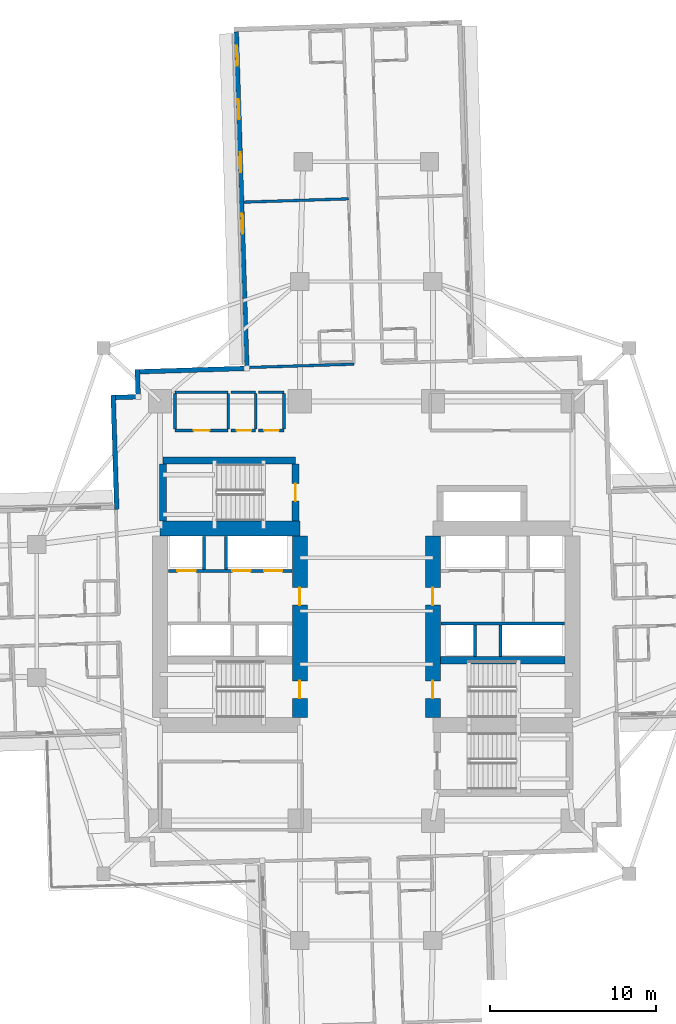
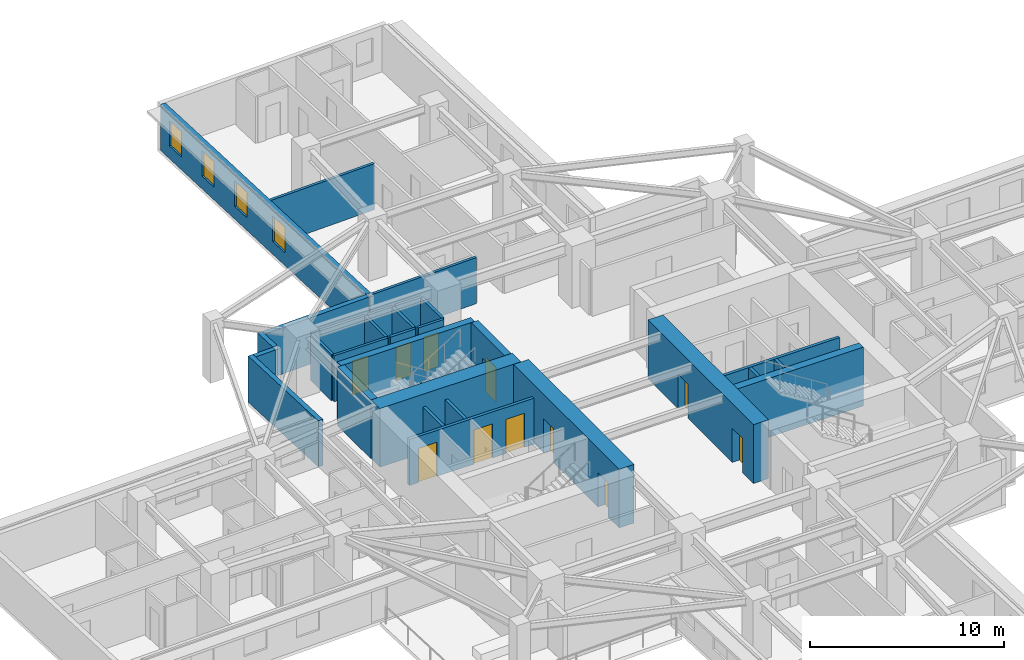
# One storey, part 6 of 14: 30 walls, 11 doors, 4 windows, 15 openings.
"""IFC4 building model written with IfcOpenShell, lengths in metres."""

from ifc_helpers import new_model, si_unit, direction, frame, frame_2d, origin, place, context, subcontext, project, spatial, rectangle, extrude, material, layer, layer_set, type_object, element, fill, save


model = new_model("IFC4")

# Units and contexts
model_context = context("Model", 3, precision=1e-05, world=origin(), true_north=direction((0.0, 1.0)))
body_context = subcontext(model_context, "Body", "Model", "MODEL_VIEW")
ifc_project = project(units=[si_unit("LENGTHUNIT", "METRE"), si_unit("AREAUNIT", "SQUARE_METRE"), si_unit("VOLUMEUNIT", "CUBIC_METRE"), si_unit("PLANEANGLEUNIT", "RADIAN"), si_unit("MASSUNIT", "GRAM", prefix="KILO")], contexts=[model_context])

# Site, building, storey
site_placement = place(None, origin())
site = spatial("IfcSite", under=ifc_project, at=site_placement, CompositionType="ELEMENT")
building_placement = place(site_placement, origin())
building = spatial("IfcBuilding", under=site, at=building_placement, Name="Qingluan Cross Belvedere", CompositionType="ELEMENT")
storey_placement = place(building_placement, frame((0.0, 0.0, 56.10009765625)))
storey = spatial("IfcBuildingStorey", under=building, at=storey_placement, Name="L14", CompositionType="ELEMENT", Elevation=56.10009765625)

# Walls
ifc_material_1 = material(Name="Concrete C50", Category="concrete")
ifc_layer_1 = layer(ifc_material_1, 0.449951171875, Name="CoreShearWall_450")
ifc_layer_set_1 = layer_set([ifc_layer_1], Name="Concrete C50")
wall_type_1 = type_object("IfcWallType", Name="CoreShearWall_450", PredefinedType="SHEAR", material=ifc_layer_set_1)
wall_1_placement = place(storey_placement, frame((4.455078125, -2.9599609375, 0.0), z_axis=(0.0, 0.0, 1.0), x_axis=(1.0, 0.0, 0.0)))
element("IfcWall", 1, at=wall_1_placement, inside=storey, type_object=wall_type_1, Name="Split core E shear wall L14-M", PredefinedType="SHEAR", context=body_context, shape_type="SweptSolid", body=[
    extrude(rectangle(XDim=7.489990234375, YDim=0.449951171875, at=frame_2d((3.7451171875, 0.0))), origin(), (0.0, 0.0, 1.0), 3.699951171875),
])
wall_2_placement = place(storey_placement, frame((-12.219970703125, 9.0400390625, 0.0), z_axis=(0.0, 0.0, 1.0), x_axis=(1.0, 0.0, 0.0)))
element("IfcWall", 2, at=wall_2_placement, inside=storey, type_object=wall_type_1, Name="Stair ST3 structural wall N L14", PredefinedType="SHEAR", context=body_context, shape_type="SweptSolid", body=[
    extrude(rectangle(XDim=7.9599609375, YDim=0.39990234375, at=frame_2d((3.97998046875, 0.0))), origin(), (0.0, 0.0, 1.0), 3.699951171875),
])
wall_3_placement = place(storey_placement, frame((-12.219970703125, 5.405029296875, 0.0), z_axis=(0.0, 0.0, 1.0), x_axis=(0.0, 1.0, 0.0)))
element("IfcWall", 3, at=wall_3_placement, inside=storey, type_object=wall_type_1, Name="Stair ST3 structural wall W L14", PredefinedType="SHEAR", context=body_context, shape_type="SweptSolid", body=[
    extrude(rectangle(XDim=3.429931640625, YDim=0.39990234375, at=frame_2d((1.71484375, 0.0))), origin(), (0.0, 0.0, 1.0), 3.699951171875),
])

# Wall, opening, door
wall_4_placement = place(storey_placement, frame((-4.260009765625, 5.405029296875, 0.0), z_axis=(0.0, 0.0, 1.0), x_axis=(0.0, 1.0, 0.0)))
wall_4 = element("IfcWall", 4, at=wall_4_placement, inside=storey, type_object=wall_type_1, Name="Stair ST3 structural wall E L14", PredefinedType="SHEAR", context=body_context, shape_type="SweptSolid", body=[
    extrude(rectangle(XDim=3.429931640625, YDim=0.39990234375, at=frame_2d((1.71484375, 0.0))), origin(), (0.0, 0.0, 1.0), 3.699951171875),
])
opening_1_placement = place(wall_4_placement, frame((1.195068359375, 0.0, 0.0)))
opening_1 = element("IfcOpeningElement", 5, at=opening_1_placement, cuts=wall_4, Name="Opening FD-B11", PredefinedType="OPENING", context=body_context, shape_type="SweptSolid", body=[
    extrude(rectangle(XDim=1.050048828125, YDim=2.14990234375, at=frame_2d((0.52490234375, 1.074951171875))), frame((0.0, 0.2099609375, 0.0), z_axis=(0.0, -1.0, 0.0), x_axis=(1.0, 0.0, 0.0)), (0.0, 0.0, 1.0), 0.419921875),
])
ifc_material_2 = material(Name="Steel Class B smoke-seal fire door", Category="steel")
door_type_1 = type_object("IfcDoorType", Name="StairLobbyFireDoor_FDB", OperationType="NOTDEFINED", PredefinedType="DOOR", material=ifc_material_2)
door_1_placement = place(opening_1_placement, origin())
door_1 = element("IfcDoor", 6, at=door_1_placement, inside=storey, type_object=door_type_1, Name="Smoke-proof stair ST3 fire door L14", OperationType="SINGLE_SWING_RIGHT", OverallHeight=2.14990234375, OverallWidth=1.050048828125, PredefinedType="DOOR", context=body_context, shape_type="SweptSolid", body=[
    extrude(rectangle(XDim=1.050048828125, YDim=2.14990234375, at=frame_2d((0.52490234375, 1.074951171875))), frame((0.0, 0.02490234375, 0.0), z_axis=(0.0, -1.0, 0.0), x_axis=(1.0, 0.0, 0.0)), (0.0, 0.0, 1.0), 0.050048828125),
])
fill(opening_1, door_1)

# Wall
ifc_material_3 = material(Name="Concrete C70", Category="concrete")
ifc_layer_2 = layer(ifc_material_3, 0.89990234375, Name="CoreShearWall_900")
ifc_layer_set_2 = layer_set([ifc_layer_2], Name="Concrete C70")
wall_type_2 = type_object("IfcWallType", Name="CoreShearWall_900", PredefinedType="SHEAR", material=ifc_layer_set_2)
wall_5_placement = place(storey_placement, frame((-12.39990234375, 4.949951171875, 0.0), z_axis=(0.0, 0.0, 1.0), x_axis=(1.0, 0.0, 0.0)))
element("IfcWall", 7, at=wall_5_placement, inside=storey, type_object=wall_type_2, Name="Split core W shear wall L14-N", PredefinedType="SHEAR", context=body_context, shape_type="SweptSolid", body=[
    extrude(rectangle(XDim=8.39990234375, YDim=0.89990234375, at=frame_2d((4.199951171875, 0.0))), origin(), (0.0, 0.0, 1.0), 3.699951171875),
])

# Wall, openings, doors
wall_6_placement = place(storey_placement, frame((-4.0, -6.39501953125, 0.0), z_axis=(0.0, 0.0, 1.0), x_axis=(0.0, 1.0, 0.0)))
wall_6 = element("IfcWall", 8, at=wall_6_placement, inside=storey, type_object=wall_type_2, Name="Split core W shear wall L14-E", PredefinedType="SHEAR", context=body_context, shape_type="SweptSolid", body=[
    extrude(rectangle(XDim=10.89013671875, YDim=0.89990234375, at=frame_2d((5.445068359375, 0.0))), origin(), (0.0, 0.0, 1.0), 3.699951171875),
])
opening_2_placement = place(wall_6_placement, frame((1.14501953125, 0.0, 0.0)))
opening_2 = element("IfcOpeningElement", 9, at=opening_2_placement, cuts=wall_6, Name="Opening FD-B11", PredefinedType="OPENING", context=body_context, shape_type="SweptSolid", body=[
    extrude(rectangle(XDim=1.050048828125, YDim=2.14990234375, at=frame_2d((0.52490234375, 1.074951171875))), frame((0.0, 0.4599609375, 0.0), z_axis=(0.0, -1.0, 0.0), x_axis=(1.0, 0.0, 0.0)), (0.0, 0.0, 1.0), 0.919921875),
])
opening_3_placement = place(wall_6_placement, frame((6.7451171875, 0.0, 0.0)))
opening_3 = element("IfcOpeningElement", 10, at=opening_3_placement, cuts=wall_6, Name="Opening FD-B11", PredefinedType="OPENING", context=body_context, shape_type="SweptSolid", body=[
    extrude(rectangle(XDim=1.050048828125, YDim=2.14990234375, at=frame_2d((0.52490234375, 1.074951171875))), frame((0.0, 0.4599609375, 0.0), z_axis=(0.0, -1.0, 0.0), x_axis=(1.0, 0.0, 0.0)), (0.0, 0.0, 1.0), 0.919921875),
])
door_2_placement = place(opening_2_placement, origin())
door_2 = element("IfcDoor", 11, at=door_2_placement, inside=storey, type_object=door_type_1, Name="Smoke-proof stair ST1 fire door L14", OperationType="SINGLE_SWING_RIGHT", OverallHeight=2.14990234375, OverallWidth=1.050048828125, PredefinedType="DOOR", context=body_context, shape_type="SweptSolid", body=[
    extrude(rectangle(XDim=1.050048828125, YDim=2.14990234375, at=frame_2d((0.52490234375, 1.074951171875))), frame((0.0, 0.02490234375, 0.0), z_axis=(0.0, -1.0, 0.0), x_axis=(1.0, 0.0, 0.0)), (0.0, 0.0, 1.0), 0.050048828125),
])
fill(opening_2, door_2)
door_3_placement = place(opening_3_placement, origin())
door_3 = element("IfcDoor", 12, at=door_3_placement, inside=storey, type_object=door_type_1, Name="Firefighting lobby West fire door L14", OperationType="SINGLE_SWING_RIGHT", OverallHeight=2.14990234375, OverallWidth=1.050048828125, PredefinedType="DOOR", context=body_context, shape_type="SweptSolid", body=[
    extrude(rectangle(XDim=1.050048828125, YDim=2.14990234375, at=frame_2d((0.52490234375, 1.074951171875))), frame((0.0, 0.02490234375, 0.0), z_axis=(0.0, -1.0, 0.0), x_axis=(1.0, 0.0, 0.0)), (0.0, 0.0, 1.0), 0.050048828125),
])
fill(opening_3, door_3)

wall_7_placement = place(storey_placement, frame((4.0, -6.39501953125, 0.0), z_axis=(0.0, 0.0, 1.0), x_axis=(0.0, 1.0, 0.0)))
wall_7 = element("IfcWall", 13, at=wall_7_placement, inside=storey, type_object=wall_type_2, Name="Split core E shear wall L14-W", PredefinedType="SHEAR", context=body_context, shape_type="SweptSolid", body=[
    extrude(rectangle(XDim=10.89013671875, YDim=0.89990234375, at=frame_2d((5.445068359375, 0.0))), origin(), (0.0, 0.0, 1.0), 3.699951171875),
])
opening_4_placement = place(wall_7_placement, frame((1.14501953125, 0.0, 0.0)))
opening_4 = element("IfcOpeningElement", 14, at=opening_4_placement, cuts=wall_7, Name="Opening FD-B11", PredefinedType="OPENING", context=body_context, shape_type="SweptSolid", body=[
    extrude(rectangle(XDim=1.050048828125, YDim=2.14990234375, at=frame_2d((0.52490234375, 1.074951171875))), frame((0.0, 0.4599609375, 0.0), z_axis=(0.0, -1.0, 0.0), x_axis=(1.0, 0.0, 0.0)), (0.0, 0.0, 1.0), 0.919921875),
])
opening_5_placement = place(wall_7_placement, frame((6.7451171875, 0.0, 0.0)))
opening_5 = element("IfcOpeningElement", 15, at=opening_5_placement, cuts=wall_7, Name="Opening FD-B11", PredefinedType="OPENING", context=body_context, shape_type="SweptSolid", body=[
    extrude(rectangle(XDim=1.050048828125, YDim=2.14990234375, at=frame_2d((0.52490234375, 1.074951171875))), frame((0.0, 0.4599609375, 0.0), z_axis=(0.0, -1.0, 0.0), x_axis=(1.0, 0.0, 0.0)), (0.0, 0.0, 1.0), 0.919921875),
])
door_4_placement = place(opening_4_placement, origin())
door_4 = element("IfcDoor", 16, at=door_4_placement, inside=storey, type_object=door_type_1, Name="Smoke-proof stair ST2 fire door L14", OperationType="SINGLE_SWING_LEFT", OverallHeight=2.14990234375, OverallWidth=1.050048828125, PredefinedType="DOOR", context=body_context, shape_type="SweptSolid", body=[
    extrude(rectangle(XDim=1.050048828125, YDim=2.14990234375, at=frame_2d((0.52490234375, 1.074951171875))), frame((0.0, 0.02490234375, 0.0), z_axis=(0.0, -1.0, 0.0), x_axis=(1.0, 0.0, 0.0)), (0.0, 0.0, 1.0), 0.050048828125),
])
fill(opening_4, door_4)
door_5_placement = place(opening_5_placement, origin())
door_5 = element("IfcDoor", 17, at=door_5_placement, inside=storey, type_object=door_type_1, Name="Firefighting lobby East fire door L14", OperationType="SINGLE_SWING_LEFT", OverallHeight=2.14990234375, OverallWidth=1.050048828125, PredefinedType="DOOR", context=body_context, shape_type="SweptSolid", body=[
    extrude(rectangle(XDim=1.050048828125, YDim=2.14990234375, at=frame_2d((0.52490234375, 1.074951171875))), frame((0.0, 0.02490234375, 0.0), z_axis=(0.0, -1.0, 0.0), x_axis=(1.0, 0.0, 0.0)), (0.0, 0.0, 1.0), 0.050048828125),
])
fill(opening_5, door_5)

# Wall, opening, door
ifc_material_4 = material(Name="Gypsum plasterboard on steel stud acoustic partition", Category="steel")
ifc_layer_3 = layer(ifc_material_4, 0.159912109375, Name="CorridorPartition_160")
ifc_layer_set_3 = layer_set([ifc_layer_3], Name="Gypsum plasterboard on steel stud acoustic partition")
wall_type_3 = type_object("IfcWallType", Name="CorridorPartition_160", PredefinedType="PARTITIONING", material=ifc_layer_set_3)
wall_8_placement = place(storey_placement, frame((-11.5, 10.85009765625, 0.0), z_axis=(0.0, 0.0, 1.0), x_axis=(1.0, 0.0, 0.0)))
wall_8 = element("IfcWall", 18, at=wall_8_placement, inside=storey, type_object=wall_type_3, Name="Partition L14:q_nw_occ:S", PredefinedType="PARTITIONING", context=body_context, shape_type="SweptSolid", body=[
    extrude(rectangle(XDim=3.199951171875, YDim=0.159912109375, at=frame_2d((1.60009765625, 0.0))), origin(), (0.0, 0.0, 1.0), 2.89990234375),
])
opening_6_placement = place(wall_8_placement, frame((1.1201171875, 0.0, 0.0)))
opening_6 = element("IfcOpeningElement", 19, at=opening_6_placement, cuts=wall_8, Name="Opening GD-10", PredefinedType="OPENING", context=body_context, shape_type="SweptSolid", body=[
    extrude(rectangle(XDim=0.9599609375, YDim=2.14990234375, at=frame_2d((0.47998046875, 1.074951171875))), frame((0.0, 0.08984375, 0.0), z_axis=(0.0, -1.0, 0.0), x_axis=(1.0, 0.0, 0.0)), (0.0, 0.0, 1.0), 0.179931640625),
])
ifc_material_5 = material(Name="Timber oak fire-rated acoustic guestroom door", Category="wood")
door_type_2 = type_object("IfcDoorType", Name="GuestEntryDoor_FD60", OperationType="NOTDEFINED", PredefinedType="DOOR", material=ifc_material_5)
door_6_placement = place(opening_6_placement, origin())
door_6 = element("IfcDoor", 20, at=door_6_placement, inside=storey, type_object=door_type_2, Name="Northwest corner reading salon L14 door", OperationType="SINGLE_SWING_RIGHT", OverallHeight=2.14990234375, OverallWidth=0.9599609375, PredefinedType="DOOR", context=body_context, shape_type="SweptSolid", body=[
    extrude(rectangle(XDim=0.9599609375, YDim=2.14990234375, at=frame_2d((0.47998046875, 1.074951171875))), frame((0.0, 0.02490234375, 0.0), z_axis=(0.0, -1.0, 0.0), x_axis=(1.0, 0.0, 0.0)), (0.0, 0.0, 1.0), 0.050048828125),
])
fill(opening_6, door_6)

# Walls
wall_9_placement = place(storey_placement, frame((-11.5, 13.14990234375, 0.0), z_axis=(0.0, 0.0, 1.0), x_axis=(1.0, 0.0, 0.0)))
element("IfcWall", 21, at=wall_9_placement, inside=storey, type_object=wall_type_3, Name="Partition L14:q_nw_occ:N", PredefinedType="PARTITIONING", context=body_context, shape_type="SweptSolid", body=[
    extrude(rectangle(XDim=3.199951171875, YDim=0.159912109375, at=frame_2d((1.60009765625, 0.0))), origin(), (0.0, 0.0, 1.0), 2.89990234375),
])
for number, where, z_axis, x_axis, name in (
    (22, (-11.5, 10.93505859375, 0.0), (0.0, 0.0, 1.0), (0.0, 1.0, 0.0), "Partition L14:q_nw_occ:W"),
    (23, (-8.300048828125, 10.93505859375, 0.0), (0.0, 0.0, 1.0), (0.0, 1.0, 0.0), "Partition L14:q_nw_occ:E"),
):
    element("IfcWall", number, at=place(storey_placement, frame(where, z_axis=z_axis, x_axis=x_axis)), inside=storey, type_object=wall_type_3, Name=name, PredefinedType="PARTITIONING", context=body_context, shape_type="SweptSolid", body=[
        extrude(rectangle(XDim=2.1298828125, YDim=0.159912109375, at=frame_2d((1.06494140625, 0.0))), origin(), (0.0, 0.0, 1.0), 2.89990234375),
    ])

# Wall, opening, door
wall_10_placement = place(storey_placement, frame((-8.139892578125, 10.85009765625, 0.0), z_axis=(0.0, 0.0, 1.0), x_axis=(1.0, 0.0, 0.0)))
wall_10 = element("IfcWall", 24, at=wall_10_placement, inside=storey, type_object=wall_type_3, Name="Partition L14:hk_linen:S", PredefinedType="PARTITIONING", context=body_context, shape_type="SweptSolid", body=[
    extrude(rectangle(XDim=1.489990234375, YDim=0.159912109375, at=frame_2d((0.7451171875, 0.0))), origin(), (0.0, 0.0, 1.0), 2.89990234375),
])
opening_7_placement = place(wall_10_placement, frame((0.35009765625, 0.0, 0.0)))
opening_7 = element("IfcOpeningElement", 25, at=opening_7_placement, cuts=wall_10, Name="Opening FD-B10", PredefinedType="OPENING", context=body_context, shape_type="SweptSolid", body=[
    extrude(rectangle(XDim=0.8798828125, YDim=2.10009765625, at=frame_2d((0.43994140625, 1.050048828125))), frame((0.0, 0.08984375, 0.0), z_axis=(0.0, -1.0, 0.0), x_axis=(1.0, 0.0, 0.0)), (0.0, 0.0, 1.0), 0.179931640625),
])
ifc_material_6 = material(Name="Steel Class B service fire door", Category="steel")
door_type_3 = type_object("IfcDoorType", Name="RiserServiceFireDoor_FDB", OperationType="NOTDEFINED", PredefinedType="DOOR", material=ifc_material_6)
door_7_placement = place(opening_7_placement, origin())
door_7 = element("IfcDoor", 26, at=door_7_placement, inside=storey, type_object=door_type_3, Name="Housekeeping and linen store L14 door", OperationType="SINGLE_SWING_LEFT", OverallHeight=2.10009765625, OverallWidth=0.8798828125, PredefinedType="DOOR", context=body_context, shape_type="SweptSolid", body=[
    extrude(rectangle(XDim=0.8798828125, YDim=2.10009765625, at=frame_2d((0.43994140625, 1.050048828125))), frame((0.0, 0.02490234375, 0.0), z_axis=(0.0, -1.0, 0.0), x_axis=(1.0, 0.0, 0.0)), (0.0, 0.0, 1.0), 0.050048828125),
])
fill(opening_7, door_7)

# Walls
wall_11_placement = place(storey_placement, frame((-8.139892578125, 13.14990234375, 0.0), z_axis=(0.0, 0.0, 1.0), x_axis=(1.0, 0.0, 0.0)))
element("IfcWall", 27, at=wall_11_placement, inside=storey, type_object=wall_type_3, Name="Partition L14:hk_linen:N", PredefinedType="PARTITIONING", context=body_context, shape_type="SweptSolid", body=[
    extrude(rectangle(XDim=1.489990234375, YDim=0.159912109375, at=frame_2d((0.7451171875, 0.0))), origin(), (0.0, 0.0, 1.0), 2.89990234375),
])
wall_12_placement = place(storey_placement, frame((-6.64990234375, 10.93505859375, 0.0), z_axis=(0.0, 0.0, 1.0), x_axis=(0.0, 1.0, 0.0)))
element("IfcWall", 28, at=wall_12_placement, inside=storey, type_object=wall_type_3, Name="Partition L14:hk_linen:E", PredefinedType="PARTITIONING", context=body_context, shape_type="SweptSolid", body=[
    extrude(rectangle(XDim=2.1298828125, YDim=0.159912109375, at=frame_2d((1.06494140625, 0.0))), origin(), (0.0, 0.0, 1.0), 2.89990234375),
])

# Wall, opening, door
wall_13_placement = place(storey_placement, frame((-6.489990234375, 10.85009765625, 0.0), z_axis=(0.0, 0.0, 1.0), x_axis=(1.0, 0.0, 0.0)))
wall_13 = element("IfcWall", 29, at=wall_13_placement, inside=storey, type_object=wall_type_3, Name="Partition L14:floor_acc_wc:S", PredefinedType="PARTITIONING", context=body_context, shape_type="SweptSolid", body=[
    extrude(rectangle(XDim=1.5400390625, YDim=0.159912109375, at=frame_2d((0.77001953125, 0.0))), origin(), (0.0, 0.0, 1.0), 2.89990234375),
])
opening_8_placement = place(wall_13_placement, frame((0.35009765625, 0.0, 0.0)))
opening_8 = element("IfcOpeningElement", 30, at=opening_8_placement, cuts=wall_13, Name="Opening BD-08", PredefinedType="OPENING", context=body_context, shape_type="SweptSolid", body=[
    extrude(rectangle(XDim=0.8798828125, YDim=2.14990234375, at=frame_2d((0.43994140625, 1.074951171875))), frame((0.0, 0.08984375, 0.0), z_axis=(0.0, -1.0, 0.0), x_axis=(1.0, 0.0, 0.0)), (0.0, 0.0, 1.0), 0.179931640625),
])
ifc_material_7 = material(Name="Moisture-sealed timber accessible WC door", Category="wood")
door_type_4 = type_object("IfcDoorType", Name="AccessibleWCDoor_880", OperationType="NOTDEFINED", PredefinedType="DOOR", material=ifc_material_7)
door_8_placement = place(opening_8_placement, origin())
door_8 = element("IfcDoor", 31, at=door_8_placement, inside=storey, type_object=door_type_4, Name="Accessible guest washroom L14 door", OperationType="SINGLE_SWING_RIGHT", OverallHeight=2.14990234375, OverallWidth=0.8798828125, PredefinedType="DOOR", context=body_context, shape_type="SweptSolid", body=[
    extrude(rectangle(XDim=0.8798828125, YDim=2.14990234375, at=frame_2d((0.43994140625, 1.074951171875))), frame((0.0, 0.02490234375, 0.0), z_axis=(0.0, -1.0, 0.0), x_axis=(1.0, 0.0, 0.0)), (0.0, 0.0, 1.0), 0.050048828125),
])
fill(opening_8, door_8)

# Walls
wall_14_placement = place(storey_placement, frame((-6.489990234375, 13.14990234375, 0.0), z_axis=(0.0, 0.0, 1.0), x_axis=(1.0, 0.0, 0.0)))
element("IfcWall", 32, at=wall_14_placement, inside=storey, type_object=wall_type_3, Name="Partition L14:floor_acc_wc:N", PredefinedType="PARTITIONING", context=body_context, shape_type="SweptSolid", body=[
    extrude(rectangle(XDim=1.5400390625, YDim=0.159912109375, at=frame_2d((0.77001953125, 0.0))), origin(), (0.0, 0.0, 1.0), 2.89990234375),
])
wall_15_placement = place(storey_placement, frame((-4.949951171875, 10.93505859375, 0.0), z_axis=(0.0, 0.0, 1.0), x_axis=(0.0, 1.0, 0.0)))
element("IfcWall", 33, at=wall_15_placement, inside=storey, type_object=wall_type_3, Name="Partition L14:floor_acc_wc:E", PredefinedType="PARTITIONING", context=body_context, shape_type="SweptSolid", body=[
    extrude(rectangle(XDim=2.1298828125, YDim=0.159912109375, at=frame_2d((1.06494140625, 0.0))), origin(), (0.0, 0.0, 1.0), 2.89990234375),
])
wall_16_placement = place(storey_placement, frame((-0.746337890625, 14.833984375, 0.0), z_axis=(0.0, 0.0, 1.0), x_axis=(-0.999506028801, -0.031427669178, 0.0)))
element("IfcWall", 34, at=wall_16_placement, inside=storey, type_object=wall_type_3, Name="Partition L14:N:s1", PredefinedType="PARTITIONING", context=body_context, shape_type="SweptSolid", body=[
    extrude(rectangle(XDim=6.43994140625, YDim=0.159912109375, at=frame_2d((3.219970703125, 0.0))), origin(), (0.0, 0.0, 1.0), 2.89990234375),
])
wall_17_placement = place(storey_placement, frame((-1.05859375, 24.77001953125, 0.0), z_axis=(0.0, 0.0, 1.0), x_axis=(-0.999505962274, -0.031429784908, 0.0)))
element("IfcWall", 35, at=wall_17_placement, inside=storey, type_object=wall_type_3, Name="Partition L14:N:d1_0", PredefinedType="PARTITIONING", context=body_context, shape_type="SweptSolid", body=[
    extrude(rectangle(XDim=6.2919921875, YDim=0.159912109375, at=frame_2d((3.14599609375, 0.0))), origin(), (0.0, 0.0, 1.0), 2.89990234375),
])

# Wall, openings, windows
ifc_material_8 = material(Name="Precast concrete C45", Category="concrete")
ifc_layer_4 = layer(ifc_material_8, 0.280029296875, Name="PrecastFacadeWall_280")
ifc_layer_set_4 = layer_set([ifc_layer_4], Name="Precast concrete C45")
wall_type_4 = type_object("IfcWallType", Name="PrecastFacadeWall_280", PredefinedType="STANDARD", material=ifc_layer_set_4)
wall_18_placement = place(storey_placement, frame((-7.8173828125, 34.8115234375, 0.0), z_axis=(0.0, 0.0, 1.0), x_axis=(0.031410322165, -0.999506574096, 0.0)))
wall_18 = element("IfcWall", 36, at=wall_18_placement, inside=storey, type_object=wall_type_4, Name="Facade wall L14-NB", PredefinedType="STANDARD", context=body_context, shape_type="SweptSolid", body=[
    extrude(rectangle(XDim=20.10009765625, YDim=0.280029296875, at=frame_2d((10.050048828125, 0.0))), origin(), (0.0, 0.0, 1.0), 2.909912109375),
])
opening_9_placement = place(wall_18_placement, frame((0.85009765625, 0.0, 0.800048828125)))
opening_9 = element("IfcOpeningElement", 37, at=opening_9_placement, cuts=wall_18, Name="Opening W-02", PredefinedType="OPENING", context=body_context, shape_type="SweptSolid", body=[
    extrude(rectangle(XDim=1.199951171875, YDim=1.60009765625, at=frame_2d((0.60009765625, 0.800048828125))), frame((0.0, 0.14990234375, 0.0), z_axis=(0.0, -1.0, 0.0), x_axis=(1.0, 0.0, 0.0)), (0.0, 0.0, 1.0), 0.300048828125),
])
opening_10_placement = place(wall_18_placement, frame((4.050048828125, 0.0, 0.800048828125)))
opening_10 = element("IfcOpeningElement", 38, at=opening_10_placement, cuts=wall_18, Name="Opening W-02", PredefinedType="OPENING", context=body_context, shape_type="SweptSolid", body=[
    extrude(rectangle(XDim=1.199951171875, YDim=1.60009765625, at=frame_2d((0.60009765625, 0.800048828125))), frame((0.0, 0.14990234375, 0.0), z_axis=(0.0, -1.0, 0.0), x_axis=(1.0, 0.0, 0.0)), (0.0, 0.0, 1.0), 0.300048828125),
])
opening_11_placement = place(wall_18_placement, frame((7.25, 0.0, 0.800048828125)))
opening_11 = element("IfcOpeningElement", 39, at=opening_11_placement, cuts=wall_18, Name="Opening W-02", PredefinedType="OPENING", context=body_context, shape_type="SweptSolid", body=[
    extrude(rectangle(XDim=1.199951171875, YDim=1.60009765625, at=frame_2d((0.60009765625, 0.800048828125))), frame((0.0, 0.14990234375, 0.0), z_axis=(0.0, -1.0, 0.0), x_axis=(1.0, 0.0, 0.0)), (0.0, 0.0, 1.0), 0.300048828125),
])
opening_12_placement = place(wall_18_placement, frame((10.949951171875, 0.0, 0.800048828125)))
opening_12 = element("IfcOpeningElement", 40, at=opening_12_placement, cuts=wall_18, Name="Opening W-02", PredefinedType="OPENING", context=body_context, shape_type="SweptSolid", body=[
    extrude(rectangle(XDim=1.199951171875, YDim=1.60009765625, at=frame_2d((0.60009765625, 0.800048828125))), frame((0.0, 0.14990234375, 0.0), z_axis=(0.0, -1.0, 0.0), x_axis=(1.0, 0.0, 0.0)), (0.0, 0.0, 1.0), 0.300048828125),
])
ifc_material_9 = material(Name="Thermally broken triple Low-E glass in aluminium frame", Category="aluminium")
window_type = type_object("IfcWindowType", Name="TriRibbonWin_1200x1600", PartitioningType="SINGLE_PANEL", PredefinedType="WINDOW", material=ifc_material_9)
window_1_placement = place(opening_9_placement, origin())
window_1 = element("IfcWindow", 41, at=window_1_placement, inside=storey, type_object=window_type, Name="Ribbon window L14-NB-1", OverallHeight=1.60009765625, OverallWidth=1.199951171875, PartitioningType="SINGLE_PANEL", PredefinedType="WINDOW", context=body_context, shape_type="SweptSolid", body=[
    extrude(rectangle(XDim=1.199951171875, YDim=1.60009765625, at=frame_2d((0.60009765625, 0.800048828125))), frame((0.0, 0.030029296875, 0.0), z_axis=(0.0, -1.0, 0.0), x_axis=(1.0, 0.0, 0.0)), (0.0, 0.0, 1.0), 0.06005859375),
])
fill(opening_9, window_1)
window_2_placement = place(opening_10_placement, origin())
window_2 = element("IfcWindow", 42, at=window_2_placement, inside=storey, type_object=window_type, Name="Ribbon window L14-NB-2", OverallHeight=1.60009765625, OverallWidth=1.199951171875, PartitioningType="SINGLE_PANEL", PredefinedType="WINDOW", context=body_context, shape_type="SweptSolid", body=[
    extrude(rectangle(XDim=1.199951171875, YDim=1.60009765625, at=frame_2d((0.60009765625, 0.800048828125))), frame((0.0, 0.030029296875, 0.0), z_axis=(0.0, -1.0, 0.0), x_axis=(1.0, 0.0, 0.0)), (0.0, 0.0, 1.0), 0.06005859375),
])
fill(opening_10, window_2)
window_3_placement = place(opening_11_placement, origin())
window_3 = element("IfcWindow", 43, at=window_3_placement, inside=storey, type_object=window_type, Name="Ribbon window L14-NB-3", OverallHeight=1.60009765625, OverallWidth=1.199951171875, PartitioningType="SINGLE_PANEL", PredefinedType="WINDOW", context=body_context, shape_type="SweptSolid", body=[
    extrude(rectangle(XDim=1.199951171875, YDim=1.60009765625, at=frame_2d((0.60009765625, 0.800048828125))), frame((0.0, 0.030029296875, 0.0), z_axis=(0.0, -1.0, 0.0), x_axis=(1.0, 0.0, 0.0)), (0.0, 0.0, 1.0), 0.06005859375),
])
fill(opening_11, window_3)
window_4_placement = place(opening_12_placement, origin())
window_4 = element("IfcWindow", 44, at=window_4_placement, inside=storey, type_object=window_type, Name="Ribbon window L14-NB-4", OverallHeight=1.60009765625, OverallWidth=1.199951171875, PartitioningType="SINGLE_PANEL", PredefinedType="WINDOW", context=body_context, shape_type="SweptSolid", body=[
    extrude(rectangle(XDim=1.199951171875, YDim=1.60009765625, at=frame_2d((0.60009765625, 0.800048828125))), frame((0.0, 0.030029296875, 0.0), z_axis=(0.0, -1.0, 0.0), x_axis=(1.0, 0.0, 0.0)), (0.0, 0.0, 1.0), 0.06005859375),
])
fill(opening_12, window_4)

# Walls
wall_19_placement = place(storey_placement, frame((-14.99951171875, 6.11181640625, 0.0), z_axis=(0.0, 0.0, 1.0), x_axis=(-0.031389189386, 0.999507237988, 0.0)))
element("IfcWall", 45, at=wall_19_placement, inside=storey, type_object=wall_type_4, Name="Corner wall L14-NW1", PredefinedType="STANDARD", context=body_context, shape_type="SweptSolid", body=[
    extrude(rectangle(XDim=6.860107421875, YDim=0.280029296875, at=frame_2d((3.43017578125, 0.0))), origin(), (0.0, 0.0, 1.0), 2.909912109375),
])
wall_20_placement = place(storey_placement, frame((-15.070556640625, 12.8330078125, 0.0), z_axis=(0.0, 0.0, 1.0), x_axis=(0.999506398264, 0.031415916822, 0.0)))
element("IfcWall", 46, at=wall_20_placement, inside=storey, type_object=wall_type_4, Name="Corner wall L14-NW2", PredefinedType="STANDARD", context=body_context, shape_type="SweptSolid", body=[
    extrude(rectangle(XDim=1.219970703125, YDim=0.280029296875, at=frame_2d((0.60986328125, 0.0))), origin(), (0.0, 0.0, 1.0), 2.909912109375),
])
wall_21_placement = place(storey_placement, frame((-13.715576171875, 13.015625, 0.0), z_axis=(0.0, 0.0, 1.0), x_axis=(-0.031412596484, 0.999506502621, 0.0)))
element("IfcWall", 47, at=wall_21_placement, inside=storey, type_object=wall_type_4, Name="Corner wall L14-NW3", PredefinedType="STANDARD", context=body_context, shape_type="SweptSolid", body=[
    extrude(rectangle(XDim=1.5, YDim=0.280029296875, at=frame_2d((0.75, 0.0))), origin(), (0.0, 0.0, 1.0), 2.909912109375),
])
wall_22_placement = place(storey_placement, frame((-13.618408203125, 14.37939453125, 0.0), z_axis=(0.0, 0.0, 1.0), x_axis=(0.999507224741, 0.031389611199, 0.0)))
element("IfcWall", 48, at=wall_22_placement, inside=storey, type_object=wall_type_4, Name="Corner wall L14-NW4", PredefinedType="STANDARD", context=body_context, shape_type="SweptSolid", body=[
    extrude(rectangle(XDim=6.300048828125, YDim=0.280029296875, at=frame_2d((3.14990234375, 0.0))), origin(), (0.0, 0.0, 1.0), 2.909912109375),
])

# Wall, openings, doors
ifc_material_10 = material(Name="Concrete C40", Category="concrete")
ifc_layer_5 = layer(ifc_material_10, 0.219970703125, Name="ShaftEnclosureWall_250")
ifc_layer_set_5 = layer_set([ifc_layer_5], Name="Concrete C40")
wall_type_5 = type_object("IfcWallType", Name="ShaftEnclosureWall_250", PredefinedType="SOLIDWALL", material=ifc_layer_set_5)
wall_23_placement = place(storey_placement, frame((-11.89990234375, 2.409912109375, 0.0), z_axis=(0.0, 0.0, 1.0), x_axis=(1.0, 0.0, 0.0)))
wall_23 = element("IfcWall", 49, at=wall_23_placement, inside=storey, type_object=wall_type_5, Name="Core-W north hoistway wall L14", PredefinedType="SOLIDWALL", context=body_context, shape_type="SweptSolid", body=[
    extrude(rectangle(XDim=7.419921875, YDim=0.179931640625, at=frame_2d((3.7099609375, 0.0))), origin(), (0.0, 0.0, 1.0), 2.89990234375),
])
opening_13_placement = place(wall_23_placement, frame((0.550048828125, 0.0, 0.0)))
opening_13 = element("IfcOpeningElement", 50, at=opening_13_placement, cuts=wall_23, Name="Opening LD-11", PredefinedType="OPENING", context=body_context, shape_type="SweptSolid", body=[
    extrude(rectangle(XDim=1.10009765625, YDim=2.14990234375, at=frame_2d((0.550048828125, 1.074951171875))), frame((0.0, 0.099853515625, 0.0), z_axis=(0.0, -1.0, 0.0), x_axis=(1.0, 0.0, 0.0)), (0.0, 0.0, 1.0), 0.199951171875),
])
opening_14_placement = place(wall_23_placement, frame((3.85009765625, 0.0, 0.0)))
opening_14 = element("IfcOpeningElement", 51, at=opening_14_placement, cuts=wall_23, Name="Opening LD-11", PredefinedType="OPENING", context=body_context, shape_type="SweptSolid", body=[
    extrude(rectangle(XDim=1.10009765625, YDim=2.14990234375, at=frame_2d((0.550048828125, 1.074951171875))), frame((0.0, 0.099853515625, 0.0), z_axis=(0.0, -1.0, 0.0), x_axis=(1.0, 0.0, 0.0)), (0.0, 0.0, 1.0), 0.199951171875),
])
opening_15_placement = place(wall_23_placement, frame((5.75, 0.0, 0.0)))
opening_15 = element("IfcOpeningElement", 52, at=opening_15_placement, cuts=wall_23, Name="Opening LD-11", PredefinedType="OPENING", context=body_context, shape_type="SweptSolid", body=[
    extrude(rectangle(XDim=1.10009765625, YDim=2.14990234375, at=frame_2d((0.550048828125, 1.074951171875))), frame((0.0, 0.099853515625, 0.0), z_axis=(0.0, -1.0, 0.0), x_axis=(1.0, 0.0, 0.0)), (0.0, 0.0, 1.0), 0.199951171875),
])
ifc_material_11 = material(Name="Brushed stainless steel centre-opening lift landing door", Category="steel")
door_type_5 = type_object("IfcDoorType", Name="LiftLandingSlidingDoor_1100", OperationType="DOUBLE_DOOR_SLIDING", PredefinedType="DOOR", material=ifc_material_11)
door_9_placement = place(opening_13_placement, origin())
door_9 = element("IfcDoor", 53, at=door_9_placement, inside=storey, type_object=door_type_5, Name="Lift landing sliding door FL1 L14", OperationType="DOUBLE_DOOR_SLIDING", OverallHeight=2.14990234375, OverallWidth=1.10009765625, PredefinedType="DOOR", context=body_context, shape_type="SweptSolid", body=[
    extrude(rectangle(XDim=1.10009765625, YDim=2.14990234375, at=frame_2d((0.550048828125, 1.074951171875))), frame((0.0, 0.02490234375, 0.0), z_axis=(0.0, -1.0, 0.0), x_axis=(1.0, 0.0, 0.0)), (0.0, 0.0, 1.0), 0.050048828125),
])
fill(opening_13, door_9)
door_10_placement = place(opening_14_placement, origin())
door_10 = element("IfcDoor", 54, at=door_10_placement, inside=storey, type_object=door_type_5, Name="Lift landing sliding door LP1 L14", OperationType="DOUBLE_DOOR_SLIDING", OverallHeight=2.14990234375, OverallWidth=1.10009765625, PredefinedType="DOOR", context=body_context, shape_type="SweptSolid", body=[
    extrude(rectangle(XDim=1.10009765625, YDim=2.14990234375, at=frame_2d((0.550048828125, 1.074951171875))), frame((0.0, 0.02490234375, 0.0), z_axis=(0.0, -1.0, 0.0), x_axis=(1.0, 0.0, 0.0)), (0.0, 0.0, 1.0), 0.050048828125),
])
fill(opening_14, door_10)
door_11_placement = place(opening_15_placement, origin())
door_11 = element("IfcDoor", 55, at=door_11_placement, inside=storey, type_object=door_type_5, Name="Lift landing sliding door LP2 L14", OperationType="DOUBLE_DOOR_SLIDING", OverallHeight=2.14990234375, OverallWidth=1.10009765625, PredefinedType="DOOR", context=body_context, shape_type="SweptSolid", body=[
    extrude(rectangle(XDim=1.10009765625, YDim=2.14990234375, at=frame_2d((0.550048828125, 1.074951171875))), frame((0.0, 0.02490234375, 0.0), z_axis=(0.0, -1.0, 0.0), x_axis=(1.0, 0.0, 0.0)), (0.0, 0.0, 1.0), 0.050048828125),
])
fill(opening_15, door_11)

# Walls
wall_24_placement = place(storey_placement, frame((4.47998046875, -0.75, 0.0), z_axis=(0.0, 0.0, 1.0), x_axis=(1.0, 0.0, 0.0)))
element("IfcWall", 56, at=wall_24_placement, inside=storey, type_object=wall_type_5, Name="Core-E mid hoistway wall L14", PredefinedType="SOLIDWALL", context=body_context, shape_type="SweptSolid", body=[
    extrude(rectangle(XDim=7.419921875, YDim=0.179931640625, at=frame_2d((3.7099609375, 0.0))), origin(), (0.0, 0.0, 1.0), 2.89990234375),
])
for number, where, z_axis, x_axis, name in (
    (57, (-9.760009765625, 2.5, 0.0), (0.0, 0.0, 1.0), (0.0, 1.0, 0.0), "Hoistway enclosure divider FL1E L14"),
    (58, (-8.43994140625, 2.5, 0.0), (0.0, 0.0, 1.0), (0.0, 1.0, 0.0), "Hoistway enclosure divider LP1W L14"),
):
    element("IfcWall", number, at=place(storey_placement, frame(where, z_axis=z_axis, x_axis=x_axis)), inside=storey, type_object=wall_type_5, Name=name, PredefinedType="SOLIDWALL", context=body_context, shape_type="SweptSolid", body=[
        extrude(rectangle(XDim=1.989990234375, YDim=0.179931640625, at=frame_2d((0.9951171875, 0.0))), origin(), (0.0, 0.0, 1.0), 2.89990234375),
    ])
for number, where, z_axis, x_axis, name in (
    (59, (6.5400390625, -2.72998046875, 0.0), (0.0, 0.0, 1.0), (0.0, 1.0, 0.0), "Hoistway enclosure divider LP7E L14"),
    (60, (8.06005859375, -2.72998046875, 0.0), (0.0, 0.0, 1.0), (0.0, 1.0, 0.0), "Hoistway enclosure divider LP9W L14"),
):
    element("IfcWall", number, at=place(storey_placement, frame(where, z_axis=z_axis, x_axis=x_axis)), inside=storey, type_object=wall_type_5, Name=name, PredefinedType="SOLIDWALL", context=body_context, shape_type="SweptSolid", body=[
        extrude(rectangle(XDim=1.889892578125, YDim=0.179931640625, at=frame_2d((0.94482421875, 0.0))), origin(), (0.0, 0.0, 1.0), 2.89990234375),
    ])

save(model, "model.ifc")
